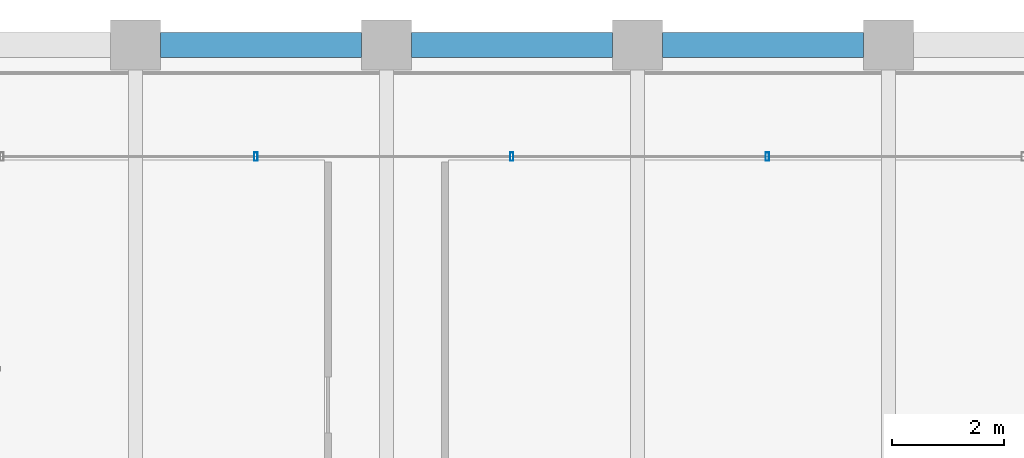
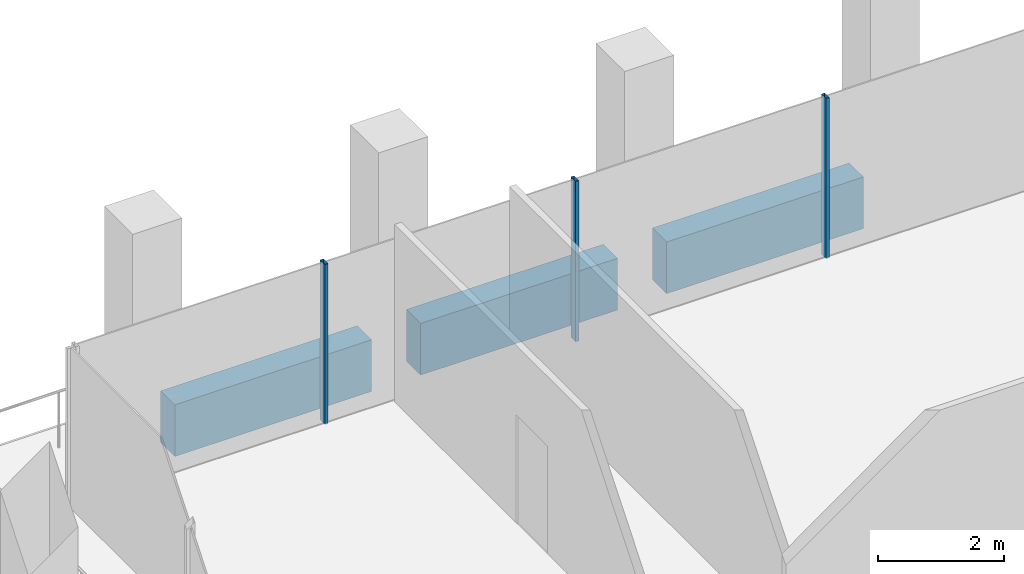
# One storey, part 23 of 40: 3 beams, 3 members, 1 element without a shape of its own.
"""IFC4 building model written with IfcOpenShell, lengths in metres."""

from ifc_helpers import new_model, si_unit, direction, frame, origin, origin_2d, place, context, subcontext, project, spatial, rectangle, hollow_rectangle, extrude, material, material_profile, profile_set, type_object, element, aggregate, save


model = new_model("IFC4")

# Units and contexts
model_context = context("Model", 3, precision=1e-05, world=origin(), true_north=direction((0.0, 1.0)))
body_context = subcontext(model_context, "Body", "Model", "MODEL_VIEW")
ifc_project = project(units=[si_unit("LENGTHUNIT", "METRE"), si_unit("AREAUNIT", "SQUARE_METRE"), si_unit("VOLUMEUNIT", "CUBIC_METRE"), si_unit("PLANEANGLEUNIT", "RADIAN"), si_unit("MASSUNIT", "GRAM", prefix="KILO")], contexts=[model_context])

# Site, building, storey
site_placement = place(None, origin())
site = spatial("IfcSite", under=ifc_project, at=site_placement, CompositionType="ELEMENT")
building_placement = place(site_placement, origin())
building = spatial("IfcBuilding", under=site, at=building_placement, Name="Altepetl Exchange Towers", CompositionType="ELEMENT")
storey_placement = place(building_placement, frame((0.0, 0.0, 158.199951171875)))
storey = spatial("IfcBuildingStorey", under=building, at=storey_placement, Name="L39", CompositionType="ELEMENT", Elevation=158.199951171875)

# Curtain wall, members
ifc_material_1 = material(Name="Aluminium 6063-T6 glazing", Category="aluminium")
curtain_wall_type = type_object("IfcCurtainWallType", Name="Loggia glazing system", PredefinedType="NOTDEFINED", material=ifc_material_1)
curtain_wall_placement = place(storey_placement, origin())
curtain_wall = element("IfcCurtainWall", 1, at=curtain_wall_placement, inside=storey, type_object=curtain_wall_type, Name="CW1 run", PredefinedType="NOTDEFINED")
ifc_material_2 = material(Name="Aluminium 6063-T6", Category="aluminium")
ifc_material_profile_1 = material_profile(ifc_material_2, hollow_rectangle(XDim=0.06005859375, YDim=0.14990234375, WallThickness=0.0029296875, at=origin_2d()), Name="Mullion 60x150 aluminium")
ifc_profile_set_1 = profile_set([ifc_material_profile_1], Name="Aluminium 6063-T6")
member_type = type_object("IfcMemberType", Name="Mullion 60x150 aluminium", PredefinedType="MULLION", material=ifc_profile_set_1)
member_1_placement = place(storey_placement, frame((56.330078125, 70.0, 0.0), z_axis=(0.0, 0.0, 1.0), x_axis=(-1.0, 0.0, 0.0)))
member_1 = element("IfcMember", 2, at=member_1_placement, type_object=member_type, Name="MU1 mullion", PredefinedType="MULLION", context=body_context, shape_type="SweptSolid", body=[
    extrude(hollow_rectangle(XDim=0.06005859375, YDim=0.14990234375, WallThickness=0.0029296875, at=origin_2d()), origin(), (0.0, 0.0, 1.0), 3.10009765625),
])
member_2_placement = place(storey_placement, frame((51.7451171875, 70.0, 0.0), z_axis=(0.0, 0.0, 1.0), x_axis=(-1.0, 0.0, 0.0)))
member_2 = element("IfcMember", 3, at=member_2_placement, type_object=member_type, Name="MU1 mullion", PredefinedType="MULLION", context=body_context, shape_type="SweptSolid", body=[
    extrude(hollow_rectangle(XDim=0.06005859375, YDim=0.14990234375, WallThickness=0.0029296875, at=origin_2d()), origin(), (0.0, 0.0, 1.0), 3.10009765625),
])
member_3_placement = place(storey_placement, frame((47.159912109375, 70.0, 0.0), z_axis=(0.0, 0.0, 1.0), x_axis=(-1.0, 0.0, 0.0)))
member_3 = element("IfcMember", 4, at=member_3_placement, type_object=member_type, Name="MU1 mullion", PredefinedType="MULLION", context=body_context, shape_type="SweptSolid", body=[
    extrude(hollow_rectangle(XDim=0.06005859375, YDim=0.14990234375, WallThickness=0.0029296875, at=origin_2d()), origin(), (0.0, 0.0, 1.0), 3.10009765625),
])
aggregate(curtain_wall, [member_1, member_2, member_3])

# Beams
ifc_material_3 = material(Name="Concrete C50/60 precast with cantera rosa facing", Category="concrete")
ifc_material_profile_2 = material_profile(ifc_material_3, rectangle(XDim=0.449951171875, YDim=1.0, at=origin_2d()), Name="450 x 1000")
ifc_profile_set_2 = profile_set([ifc_material_profile_2], Name="Concrete C50/60 precast with cantera rosa facing")
beam_type = type_object("IfcBeamType", Name="Spandrel beam 450x1000 cantera rosa", PredefinedType="SPANDREL", material=ifc_profile_set_2)
for number, where, z_axis, x_axis, name in (
    (5, (58.050048828125, 72.0, -0.64990234375), (-1.0, 0.0, 0.0), (0.0, -1.0, 0.0), "sp:A:L39:026"),
    (6, (53.550048828125, 72.0, -0.64990234375), (-1.0, 0.0, 0.0), (0.0, -1.0, 0.0), "sp:A:L39:027"),
    (7, (49.050048828125, 72.0, -0.64990234375), (-1.0, 0.0, 0.0), (0.0, -1.0, 0.0), "sp:A:L39:028"),
):
    element("IfcBeam", number, at=place(storey_placement, frame(where, z_axis=z_axis, x_axis=x_axis)), inside=storey, type_object=beam_type, Name=name, PredefinedType="SPANDREL", context=body_context, shape_type="SweptSolid", body=[
        extrude(rectangle(XDim=0.449951171875, YDim=1.0, at=origin_2d()), origin(), (0.0, 0.0, 1.0), 3.60009765625),
    ])

save(model, "model.ifc")
